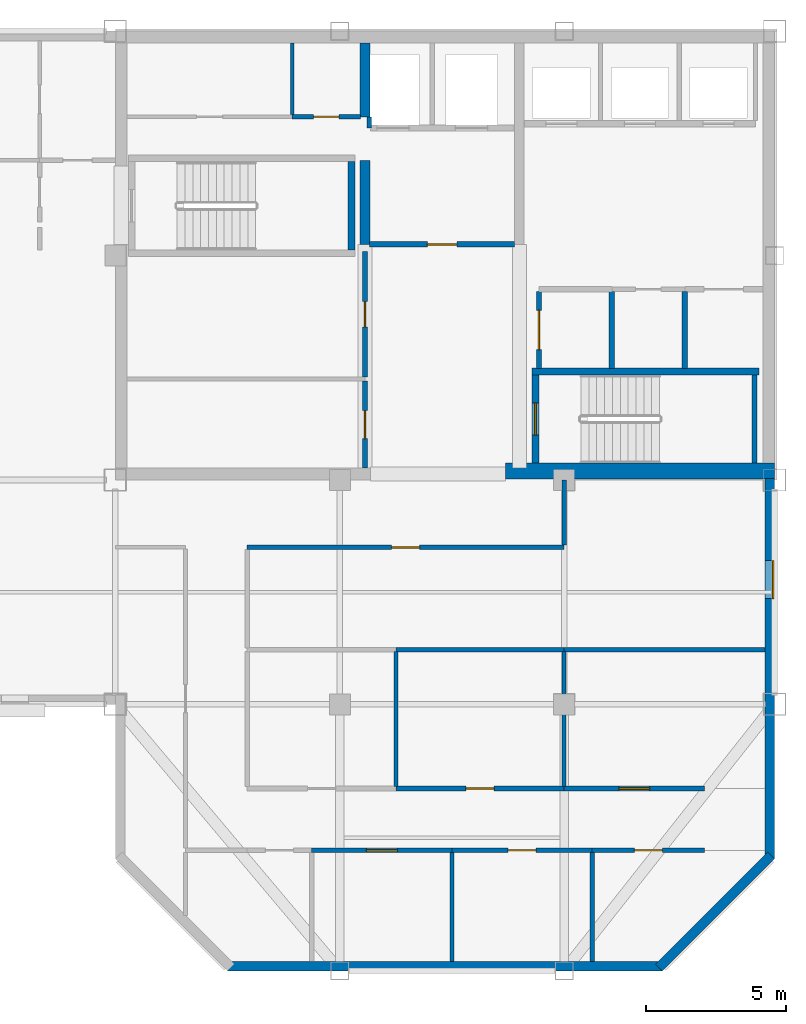
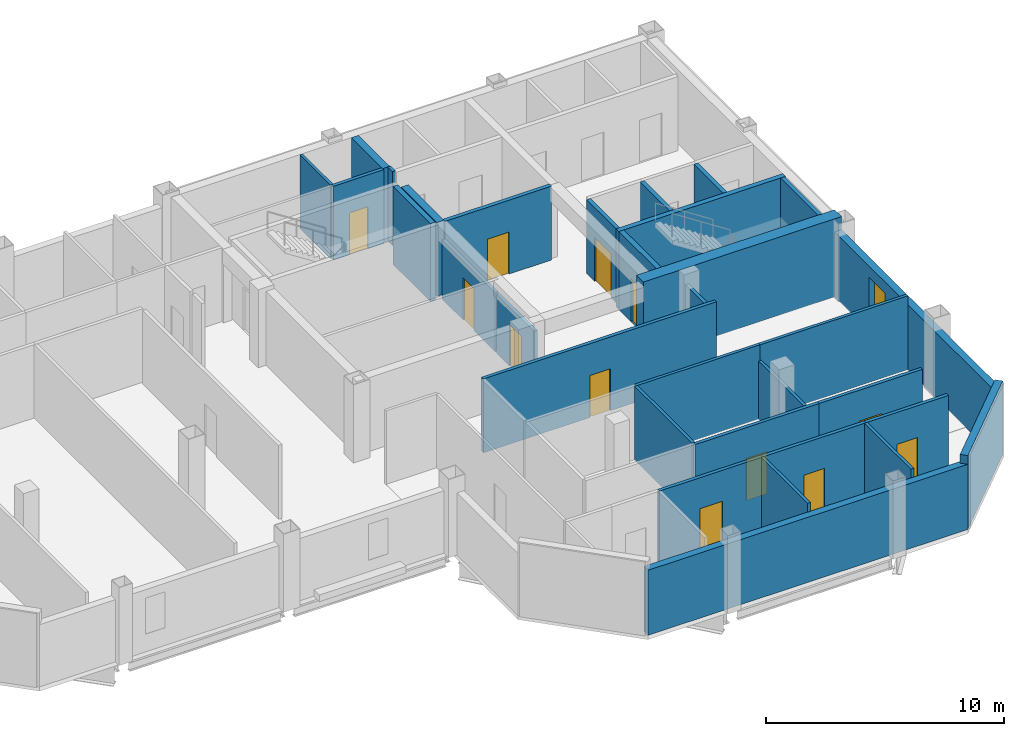
# One storey, part 3 of 7: 32 walls, 12 doors, 1 window, 13 openings.
"""IFC4 building model written with IfcOpenShell, lengths in metres."""

from ifc_helpers import new_model, si_unit, direction, frame, frame_2d, origin, place, context, subcontext, project, spatial, rectangle, extrude, material, layer, layer_set, type_object, element, fill, save


model = new_model("IFC4")

# Units and contexts
model_context = context("Model", 3, precision=1e-05, world=origin(), true_north=direction((0.0, 1.0)))
body_context = subcontext(model_context, "Body", "Model", "MODEL_VIEW")
ifc_project = project(units=[si_unit("LENGTHUNIT", "METRE"), si_unit("AREAUNIT", "SQUARE_METRE"), si_unit("VOLUMEUNIT", "CUBIC_METRE"), si_unit("PLANEANGLEUNIT", "RADIAN"), si_unit("MASSUNIT", "GRAM", prefix="KILO")], contexts=[model_context])

# Site, building, storey
site_placement = place(None, origin())
site = spatial("IfcSite", under=ifc_project, at=site_placement, CompositionType="ELEMENT")
building_placement = place(site_placement, origin())
building = spatial("IfcBuilding", under=site, at=building_placement, Name="Qianrong Seaharbour Tower", CompositionType="ELEMENT")
storey_placement = place(building_placement, frame((0.0, 0.0, 355.199951171875)))
storey = spatial("IfcBuildingStorey", under=building, at=storey_placement, Name="L86", CompositionType="ELEMENT", Elevation=355.199951171875)

# Walls
ifc_material_1 = material(Name="Concrete C70/85", Category="concrete")
ifc_layer_1 = layer(ifc_material_1, 0.580078125)
ifc_layer_set_1 = layer_set([ifc_layer_1], Name="Concrete C70/85")
wall_type_1 = type_object("IfcWallType", Name="WALL-CORE-580", PredefinedType="SHEAR", material=ifc_layer_set_1)
wall_1_placement = place(storey_placement, frame((54.39990234375, 36.320068359375, 0.0), z_axis=(0.0, 0.0, 1.0), x_axis=(1.0, 0.0, 0.0)))
element("IfcWall", 1, at=wall_1_placement, inside=storey, type_object=wall_type_1, Name="L86 South Core Shear Wall S3", PredefinedType="SHEAR", context=body_context, shape_type="SweptSolid", body=[
    extrude(rectangle(XDim=9.60009765625, YDim=0.580078125, at=frame_2d((4.800048828125, 0.0))), origin(), (0.0, 0.0, 1.0), 4.0),
])
ifc_material_2 = material(Name="Concrete C50/60", Category="concrete")
ifc_layer_2 = layer(ifc_material_2, 0.35009765625)
ifc_layer_set_2 = layer_set([ifc_layer_2], Name="Concrete C50/60")
wall_type_2 = type_object("IfcWallType", Name="WALL-CORE-INT-350", PredefinedType="SHEAR", material=ifc_layer_set_2)
wall_2_placement = place(storey_placement, frame((49.39990234375, 44.39990234375, 0.0), z_axis=(0.0, 0.0, 1.0), x_axis=(0.0, 1.0, 0.0)))
element("IfcWall", 2, at=wall_2_placement, inside=storey, type_object=wall_type_2, Name="L86 Internal Core Shear Wall IW1N1", PredefinedType="SHEAR", context=body_context, shape_type="SweptSolid", body=[
    extrude(rectangle(XDim=3.0, YDim=0.35009765625, at=frame_2d((1.5, 0.0))), origin(), (0.0, 0.0, 1.0), 3.78515625),
])
wall_3_placement = place(storey_placement, frame((49.39990234375, 48.949951171875, 0.0), z_axis=(0.0, 0.0, 1.0), x_axis=(0.0, 1.0, 0.0)))
element("IfcWall", 3, at=wall_3_placement, inside=storey, type_object=wall_type_2, Name="L86 Internal Core Shear Wall IW1N2", PredefinedType="SHEAR", context=body_context, shape_type="SweptSolid", body=[
    extrude(rectangle(XDim=2.630126953125, YDim=0.35009765625, at=frame_2d((1.31494140625, 0.0))), origin(), (0.0, 0.0, 1.0), 3.78515625),
])

# Wall, opening, door
ifc_material_3 = material(Name="Fire-rated acoustic gypsum board partition")
ifc_layer_3 = layer(ifc_material_3, 0.1650390625)
ifc_layer_set_3 = layer_set([ifc_layer_3], Name="Fire-rated acoustic gypsum board partition")
wall_type_3 = type_object("IfcWallType", Name="WALL-CORR-PART-165", PredefinedType="PARTITIONING", material=ifc_layer_set_3)
wall_4_placement = place(storey_placement, frame((46.800048828125, 48.949951171875, 0.0), z_axis=(0.0, 0.0, 1.0), x_axis=(1.0, 0.0, 0.0)))
wall_4 = element("IfcWall", 4, at=wall_4_placement, inside=storey, type_object=wall_type_3, Name="L86 Interior Partition Wall 008", PredefinedType="PARTITIONING", context=body_context, shape_type="SweptSolid", body=[
    extrude(rectangle(XDim=2.432861328125, YDim=0.1650390625, at=frame_2d((1.21630859375, 0.0))), origin(), (0.0, 0.0, 1.0), 3.78515625),
])
opening_1_placement = place(wall_4_placement, frame((0.7666015625, 0.0, 0.0)))
opening_1 = element("IfcOpeningElement", 5, at=opening_1_placement, cuts=wall_4, Name="Opening DS-01", PredefinedType="OPENING", context=body_context, shape_type="SweptSolid", body=[
    extrude(rectangle(XDim=0.89990234375, YDim=2.14990234375, at=frame_2d((0.449951171875, 1.074951171875))), frame((0.0, 0.092529296875, 0.0), z_axis=(0.0, -1.0, 0.0), x_axis=(1.0, 0.0, 0.0)), (0.0, 0.0, 1.0), 0.18505859375),
])
ifc_material_4 = material(Name="Acoustic timber and galvanized steel fire door assembly", Category="steel")
door_type_1 = type_object("IfcDoorType", Name="DOOR-STORE-900x2150", OperationType="NOTDEFINED", PredefinedType="DOOR", material=ifc_material_4)
door_1_placement = place(opening_1_placement, origin())
door_1 = element("IfcDoor", 6, at=door_1_placement, inside=storey, type_object=door_type_1, Name="L86 Janitor Store Room Door", OperationType="SINGLE_SWING_RIGHT", OverallHeight=2.14990234375, OverallWidth=0.89990234375, PredefinedType="DOOR", context=body_context, shape_type="SweptSolid", body=[
    extrude(rectangle(XDim=0.89990234375, YDim=2.14990234375, at=frame_2d((0.449951171875, 1.074951171875))), frame((0.0, 0.02490234375, 0.0), z_axis=(0.0, -1.0, 0.0), x_axis=(1.0, 0.0, 0.0)), (0.0, 0.0, 1.0), 0.050048828125),
])
fill(opening_1, door_1)

wall_5_placement = place(storey_placement, frame((49.39990234375, 36.419921875, 0.0), z_axis=(0.0, 0.0, 1.0), x_axis=(0.0, 1.0, 0.0)))
wall_5 = element("IfcWall", 7, at=wall_5_placement, inside=storey, type_object=wall_type_3, Name="L86 Interior Partition Wall 010", PredefinedType="PARTITIONING", context=body_context, shape_type="SweptSolid", body=[
    extrude(rectangle(XDim=3.115478515625, YDim=0.1650390625, at=frame_2d((1.5576171875, 0.0))), origin(), (0.0, 0.0, 1.0), 3.027099609375),
])
opening_2_placement = place(wall_5_placement, frame((1.0576171875, 0.0, 0.0)))
opening_2 = element("IfcOpeningElement", 8, at=opening_2_placement, cuts=wall_5, Name="Opening DO-01", PredefinedType="OPENING", context=body_context, shape_type="SweptSolid", body=[
    extrude(rectangle(XDim=1.0, YDim=2.14990234375, at=frame_2d((0.5, 1.074951171875))), frame((0.0, 0.092529296875, 0.0), z_axis=(0.0, -1.0, 0.0), x_axis=(1.0, 0.0, 0.0)), (0.0, 0.0, 1.0), 0.18505859375),
])
door_type_2 = type_object("IfcDoorType", Name="DOOR-OFFICE-1000x2150", OperationType="NOTDEFINED", PredefinedType="DOOR", material=ifc_material_4)
door_2_placement = place(opening_2_placement, origin())
door_2 = element("IfcDoor", 9, at=door_2_placement, inside=storey, type_object=door_type_2, Name="L86 Wellness Room Door", OperationType="SINGLE_SWING_LEFT", OverallHeight=2.14990234375, OverallWidth=1.0, PredefinedType="DOOR", context=body_context, shape_type="SweptSolid", body=[
    extrude(rectangle(XDim=1.0, YDim=2.14990234375, at=frame_2d((0.5, 1.074951171875))), frame((0.0, 0.02490234375, 0.0), z_axis=(0.0, -1.0, 0.0), x_axis=(1.0, 0.0, 0.0)), (0.0, 0.0, 1.0), 0.050048828125),
])
fill(opening_2, door_2)

wall_6_placement = place(storey_placement, frame((49.39990234375, 39.66455078125, 0.0), z_axis=(0.0, 0.0, 1.0), x_axis=(0.0, 1.0, 0.0)))
wall_6 = element("IfcWall", 10, at=wall_6_placement, inside=storey, type_object=wall_type_3, Name="L86 Interior Partition Wall 011", PredefinedType="PARTITIONING", context=body_context, shape_type="SweptSolid", body=[
    extrude(rectangle(XDim=4.4853515625, YDim=0.1650390625, at=frame_2d((2.24267578125, 0.0))), origin(), (0.0, 0.0, 1.0), 3.027099609375),
])
opening_3_placement = place(wall_6_placement, frame((1.792724609375, 0.0, 0.0)))
opening_3 = element("IfcOpeningElement", 11, at=opening_3_placement, cuts=wall_6, Name="Opening DS-01", PredefinedType="OPENING", context=body_context, shape_type="SweptSolid", body=[
    extrude(rectangle(XDim=0.89990234375, YDim=2.14990234375, at=frame_2d((0.449951171875, 1.074951171875))), frame((0.0, 0.092529296875, 0.0), z_axis=(0.0, -1.0, 0.0), x_axis=(1.0, 0.0, 0.0)), (0.0, 0.0, 1.0), 0.18505859375),
])
door_3_placement = place(opening_3_placement, origin())
door_3 = element("IfcDoor", 12, at=door_3_placement, inside=storey, type_object=door_type_1, Name="L86 Equipment Store Room Door", OperationType="SINGLE_SWING_RIGHT", OverallHeight=2.14990234375, OverallWidth=0.89990234375, PredefinedType="DOOR", context=body_context, shape_type="SweptSolid", body=[
    extrude(rectangle(XDim=0.89990234375, YDim=2.14990234375, at=frame_2d((0.449951171875, 1.074951171875))), frame((0.0, 0.02490234375, 0.0), z_axis=(0.0, -1.0, 0.0), x_axis=(1.0, 0.0, 0.0)), (0.0, 0.0, 1.0), 0.050048828125),
])
fill(opening_3, door_3)

# Wall
wall_7_placement = place(storey_placement, frame((56.5, 36.0, 0.0), z_axis=(0.0, 0.0, 1.0), x_axis=(0.0, -1.0, 0.0)))
element("IfcWall", 13, at=wall_7_placement, inside=storey, type_object=wall_type_3, Name="L86 Interior Partition Wall 028", PredefinedType="PARTITIONING", context=body_context, shape_type="SweptSolid", body=[
    extrude(rectangle(XDim=2.325439453125, YDim=0.1650390625, at=frame_2d((1.16259765625, 0.0))), origin(), (0.0, 0.0, 1.0), 3.177001953125),
])

# Wall, opening, door
wall_8_placement = place(storey_placement, frame((56.5, 33.60009765625, 0.0), z_axis=(0.0, 0.0, 1.0), x_axis=(-1.0, 0.0, 0.0)))
wall_8 = element("IfcWall", 14, at=wall_8_placement, inside=storey, type_object=wall_type_3, Name="L86 Interior Partition Wall 029", PredefinedType="PARTITIONING", context=body_context, shape_type="SweptSolid", body=[
    extrude(rectangle(XDim=11.300048828125, YDim=0.1650390625, at=frame_2d((5.64990234375, 0.0))), origin(), (0.0, 0.0, 1.0), 3.78515625),
])
opening_4_placement = place(wall_8_placement, frame((5.14990234375, 0.0, 0.0)))
opening_4 = element("IfcOpeningElement", 15, at=opening_4_placement, cuts=wall_8, Name="Opening DO-01", PredefinedType="OPENING", context=body_context, shape_type="SweptSolid", body=[
    extrude(rectangle(XDim=1.0, YDim=2.14990234375, at=frame_2d((0.5, 1.074951171875))), frame((0.0, 0.092529296875, 0.0), z_axis=(0.0, -1.0, 0.0), x_axis=(1.0, 0.0, 0.0)), (0.0, 0.0, 1.0), 0.18505859375),
])
door_4_placement = place(opening_4_placement, origin())
door_4 = element("IfcDoor", 16, at=door_4_placement, inside=storey, type_object=door_type_2, Name="L86 Commercial Desk Open-Plan Office Door", OperationType="SINGLE_SWING_RIGHT", OverallHeight=2.14990234375, OverallWidth=1.0, PredefinedType="DOOR", context=body_context, shape_type="SweptSolid", body=[
    extrude(rectangle(XDim=1.0, YDim=2.14990234375, at=frame_2d((0.5, 1.074951171875))), frame((0.0, 0.02490234375, 0.0), z_axis=(0.0, -1.0, 0.0), x_axis=(1.0, 0.0, 0.0)), (0.0, 0.0, 1.0), 0.050048828125),
])
fill(opening_4, door_4)

wall_9_placement = place(storey_placement, frame((50.5, 25.0, 0.0), z_axis=(0.0, 0.0, 1.0), x_axis=(1.0, 0.0, 0.0)))
wall_9 = element("IfcWall", 17, at=wall_9_placement, inside=storey, type_object=wall_type_3, Name="L86 Interior Partition Wall 036", PredefinedType="PARTITIONING", context=body_context, shape_type="SweptSolid", body=[
    extrude(rectangle(XDim=6.0, YDim=0.1650390625, at=frame_2d((3.0, 0.0))), origin(), (0.0, 0.0, 1.0), 3.78515625),
])
opening_5_placement = place(wall_9_placement, frame((2.5, 0.0, 0.0)))
opening_5 = element("IfcOpeningElement", 18, at=opening_5_placement, cuts=wall_9, Name="Opening DO-01", PredefinedType="OPENING", context=body_context, shape_type="SweptSolid", body=[
    extrude(rectangle(XDim=1.0, YDim=2.14990234375, at=frame_2d((0.5, 1.074951171875))), frame((0.0, 0.092529296875, 0.0), z_axis=(0.0, -1.0, 0.0), x_axis=(1.0, 0.0, 0.0)), (0.0, 0.0, 1.0), 0.18505859375),
])
door_5_placement = place(opening_5_placement, origin())
door_5 = element("IfcDoor", 19, at=door_5_placement, inside=storey, type_object=door_type_2, Name="L86 Port Equipment Showroom 2 Door", OperationType="SINGLE_SWING_RIGHT", OverallHeight=2.14990234375, OverallWidth=1.0, PredefinedType="DOOR", context=body_context, shape_type="SweptSolid", body=[
    extrude(rectangle(XDim=1.0, YDim=2.14990234375, at=frame_2d((0.5, 1.074951171875))), frame((0.0, 0.02490234375, 0.0), z_axis=(0.0, -1.0, 0.0), x_axis=(1.0, 0.0, 0.0)), (0.0, 0.0, 1.0), 0.050048828125),
])
fill(opening_5, door_5)

wall_10_placement = place(storey_placement, frame((56.5, 25.0, 0.0), z_axis=(0.0, 0.0, 1.0), x_axis=(1.0, 0.0, 0.0)))
wall_10 = element("IfcWall", 20, at=wall_10_placement, inside=storey, type_object=wall_type_3, Name="L86 Interior Partition Wall 037", PredefinedType="PARTITIONING", context=body_context, shape_type="SweptSolid", body=[
    extrude(rectangle(XDim=5.0, YDim=0.1650390625, at=frame_2d((2.5, 0.0))), origin(), (0.0, 0.0, 1.0), 3.78515625),
])
opening_6_placement = place(wall_10_placement, frame((1.949951171875, 0.0, 0.0)))
opening_6 = element("IfcOpeningElement", 21, at=opening_6_placement, cuts=wall_10, Name="Opening DM-01", PredefinedType="OPENING", context=body_context, shape_type="SweptSolid", body=[
    extrude(rectangle(XDim=1.10009765625, YDim=2.199951171875, at=frame_2d((0.550048828125, 1.10009765625))), frame((0.0, 0.092529296875, 0.0), z_axis=(0.0, -1.0, 0.0), x_axis=(1.0, 0.0, 0.0)), (0.0, 0.0, 1.0), 0.18505859375),
])
door_type_3 = type_object("IfcDoorType", Name="DOOR-MEET-1100x2200", OperationType="NOTDEFINED", PredefinedType="DOOR", material=ifc_material_4)
door_6_placement = place(opening_6_placement, origin())
door_6 = element("IfcDoor", 22, at=door_6_placement, inside=storey, type_object=door_type_3, Name="L86 Trade Meeting Room 3 Door", OperationType="SINGLE_SWING_LEFT", OverallHeight=2.199951171875, OverallWidth=1.10009765625, PredefinedType="DOOR", context=body_context, shape_type="SweptSolid", body=[
    extrude(rectangle(XDim=1.10009765625, YDim=2.199951171875, at=frame_2d((0.550048828125, 1.10009765625))), frame((0.0, 0.02490234375, 0.0), z_axis=(0.0, -1.0, 0.0), x_axis=(1.0, 0.0, 0.0)), (0.0, 0.0, 1.0), 0.050048828125),
])
fill(opening_6, door_6)

wall_11_placement = place(storey_placement, frame((52.5, 22.800048828125, 0.0), z_axis=(0.0, 0.0, 1.0), x_axis=(-1.0, 0.0, 0.0)))
wall_11 = element("IfcWall", 23, at=wall_11_placement, inside=storey, type_object=wall_type_3, Name="L86 Interior Partition Wall 039", PredefinedType="PARTITIONING", context=body_context, shape_type="SweptSolid", body=[
    extrude(rectangle(XDim=5.0, YDim=0.1650390625, at=frame_2d((2.5, 0.0))), origin(), (0.0, 0.0, 1.0), 3.78515625),
])
opening_7_placement = place(wall_11_placement, frame((1.949951171875, 0.0, 0.0)))
opening_7 = element("IfcOpeningElement", 24, at=opening_7_placement, cuts=wall_11, Name="Opening DM-01", PredefinedType="OPENING", context=body_context, shape_type="SweptSolid", body=[
    extrude(rectangle(XDim=1.10009765625, YDim=2.199951171875, at=frame_2d((0.550048828125, 1.10009765625))), frame((0.0, 0.092529296875, 0.0), z_axis=(0.0, -1.0, 0.0), x_axis=(1.0, 0.0, 0.0)), (0.0, 0.0, 1.0), 0.18505859375),
])
door_7_placement = place(opening_7_placement, origin())
door_7 = element("IfcDoor", 25, at=door_7_placement, inside=storey, type_object=door_type_3, Name="L86 Contract Signing Room 2 Door", OperationType="SINGLE_SWING_RIGHT", OverallHeight=2.199951171875, OverallWidth=1.10009765625, PredefinedType="DOOR", context=body_context, shape_type="SweptSolid", body=[
    extrude(rectangle(XDim=1.10009765625, YDim=2.199951171875, at=frame_2d((0.550048828125, 1.10009765625))), frame((0.0, 0.02490234375, 0.0), z_axis=(0.0, -1.0, 0.0), x_axis=(1.0, 0.0, 0.0)), (0.0, 0.0, 1.0), 0.050048828125),
])
fill(opening_7, door_7)

wall_12_placement = place(storey_placement, frame((57.5, 22.800048828125, 0.0), z_axis=(0.0, 0.0, 1.0), x_axis=(-1.0, 0.0, 0.0)))
wall_12 = element("IfcWall", 26, at=wall_12_placement, inside=storey, type_object=wall_type_3, Name="L86 Interior Partition Wall 040", PredefinedType="PARTITIONING", context=body_context, shape_type="SweptSolid", body=[
    extrude(rectangle(XDim=5.0, YDim=0.1650390625, at=frame_2d((2.5, 0.0))), origin(), (0.0, 0.0, 1.0), 3.78515625),
])
opening_8_placement = place(wall_12_placement, frame((2.0, 0.0, 0.0)))
opening_8 = element("IfcOpeningElement", 27, at=opening_8_placement, cuts=wall_12, Name="Opening DO-01", PredefinedType="OPENING", context=body_context, shape_type="SweptSolid", body=[
    extrude(rectangle(XDim=1.0, YDim=2.14990234375, at=frame_2d((0.5, 1.074951171875))), frame((0.0, 0.092529296875, 0.0), z_axis=(0.0, -1.0, 0.0), x_axis=(1.0, 0.0, 0.0)), (0.0, 0.0, 1.0), 0.18505859375),
])
door_8_placement = place(opening_8_placement, origin())
door_8 = element("IfcDoor", 28, at=door_8_placement, inside=storey, type_object=door_type_2, Name="L86 Marine Showcase Showroom 3 Door", OperationType="SINGLE_SWING_LEFT", OverallHeight=2.14990234375, OverallWidth=1.0, PredefinedType="DOOR", context=body_context, shape_type="SweptSolid", body=[
    extrude(rectangle(XDim=1.0, YDim=2.14990234375, at=frame_2d((0.5, 1.074951171875))), frame((0.0, 0.02490234375, 0.0), z_axis=(0.0, -1.0, 0.0), x_axis=(1.0, 0.0, 0.0)), (0.0, 0.0, 1.0), 0.050048828125),
])
fill(opening_8, door_8)

wall_13_placement = place(storey_placement, frame((61.5, 22.800048828125, 0.0), z_axis=(0.0, 0.0, 1.0), x_axis=(-1.0, 0.0, 0.0)))
wall_13 = element("IfcWall", 29, at=wall_13_placement, inside=storey, type_object=wall_type_3, Name="L86 Interior Partition Wall 041", PredefinedType="PARTITIONING", context=body_context, shape_type="SweptSolid", body=[
    extrude(rectangle(XDim=4.0, YDim=0.1650390625, at=frame_2d((2.0, 0.0))), origin(), (0.0, 0.0, 1.0), 3.78515625),
])
opening_9_placement = place(wall_13_placement, frame((1.5, 0.0, 0.0)))
opening_9 = element("IfcOpeningElement", 30, at=opening_9_placement, cuts=wall_13, Name="Opening DO-01", PredefinedType="OPENING", context=body_context, shape_type="SweptSolid", body=[
    extrude(rectangle(XDim=1.0, YDim=2.14990234375, at=frame_2d((0.5, 1.074951171875))), frame((0.0, 0.092529296875, 0.0), z_axis=(0.0, -1.0, 0.0), x_axis=(1.0, 0.0, 0.0)), (0.0, 0.0, 1.0), 0.18505859375),
])
door_9_placement = place(opening_9_placement, origin())
door_9 = element("IfcDoor", 31, at=door_9_placement, inside=storey, type_object=door_type_2, Name="L86 Brokerage Office 4 Door", OperationType="SINGLE_SWING_RIGHT", OverallHeight=2.14990234375, OverallWidth=1.0, PredefinedType="DOOR", context=body_context, shape_type="SweptSolid", body=[
    extrude(rectangle(XDim=1.0, YDim=2.14990234375, at=frame_2d((0.5, 1.074951171875))), frame((0.0, 0.02490234375, 0.0), z_axis=(0.0, -1.0, 0.0), x_axis=(1.0, 0.0, 0.0)), (0.0, 0.0, 1.0), 0.050048828125),
])
fill(opening_9, door_9)

# Wall, opening, window
ifc_material_5 = material(Name="Unitised buff brick on Precast concrete C45/55", Category="masonry")
ifc_layer_4 = layer(ifc_material_5, 0.340087890625)
ifc_layer_set_4 = layer_set([ifc_layer_4], Name="Unitised buff brick on Precast concrete C45/55")
wall_type_4 = type_object("IfcWallType", Name="WALL-EXT-BRICK-BUFF-340", PredefinedType="SOLIDWALL", material=ifc_layer_set_4)
wall_14_placement = place(storey_placement, frame((63.830078125, 36.050048828125, 0.0), z_axis=(0.0, 0.0, 1.0), x_axis=(0.0, -1.0, 0.0)))
wall_14 = element("IfcWall", 32, at=wall_14_placement, inside=storey, type_object=wall_type_4, Name="L86 Exterior Masonry Facade Wall EAST_WING", PredefinedType="SOLIDWALL", context=body_context, shape_type="SweptSolid", body=[
    extrude(rectangle(XDim=13.550048828125, YDim=0.340087890625, at=frame_2d((6.77490234375, 0.0))), origin(), (0.0, 0.0, 1.0), 3.3349609375),
])
opening_10_placement = place(wall_14_placement, frame((2.925048828125, 0.0, 0.89990234375)))
opening_10 = element("IfcOpeningElement", 33, at=opening_10_placement, cuts=wall_14, Name="Opening WN-02", PredefinedType="OPENING", context=body_context, shape_type="SweptSolid", body=[
    extrude(rectangle(XDim=1.35009765625, YDim=1.85009765625, at=frame_2d((0.675048828125, 0.925048828125))), frame((0.0, 0.18017578125, 0.0), z_axis=(0.0, -1.0, 0.0), x_axis=(1.0, 0.0, 0.0)), (0.0, 0.0, 1.0), 0.360107421875),
])
ifc_material_6 = material(Name="Insulated low-e double glazing in thermally broken aluminium 6063-T6 frame", Category="aluminium")
window_type = type_object("IfcWindowType", Name="WIN-PUNCH-1350x1850", PartitioningType="DOUBLE_PANEL_VERTICAL", PredefinedType="WINDOW", material=ifc_material_6)
window_placement = place(opening_10_placement, origin())
window = element("IfcWindow", 34, at=window_placement, inside=storey, type_object=window_type, Name="L86 Deep-Set Punched Window 06.01", OverallHeight=1.85009765625, OverallWidth=1.35009765625, PartitioningType="DOUBLE_PANEL_VERTICAL", PredefinedType="WINDOW", context=body_context, shape_type="SweptSolid", body=[
    extrude(rectangle(XDim=1.35009765625, YDim=1.85009765625, at=frame_2d((0.675048828125, 0.925048828125))), frame((0.0, 0.150146484375, 0.0), z_axis=(0.0, -1.0, 0.0), x_axis=(1.0, 0.0, 0.0)), (0.0, 0.0, 1.0), 0.06005859375),
])
fill(opening_10, window)

# Walls
wall_15_placement = place(storey_placement, frame((63.8798828125, 22.6201171875, 0.0), z_axis=(0.0, 0.0, 1.0), x_axis=(-0.707106781187, -0.707106781187, 0.0)))
element("IfcWall", 35, at=wall_15_placement, inside=storey, type_object=wall_type_4, Name="L86 Exterior Masonry Facade Wall E07", PredefinedType="SOLIDWALL", context=body_context, shape_type="SweptSolid", body=[
    extrude(rectangle(XDim=5.65673828125, YDim=0.340087890625, at=frame_2d((2.828369140625, 0.0))), origin(), (0.0, 0.0, 1.0), 3.78515625),
])
wall_16_placement = place(storey_placement, frame((60.0, 18.669921875, 0.0), z_axis=(0.0, 0.0, 1.0), x_axis=(-1.0, 0.0, 0.0)))
element("IfcWall", 36, at=wall_16_placement, inside=storey, type_object=wall_type_4, Name="L86 Exterior Masonry Facade Wall SOUTH_TIP", PredefinedType="SOLIDWALL", context=body_context, shape_type="SweptSolid", body=[
    extrude(rectangle(XDim=15.5, YDim=0.340087890625, at=frame_2d((7.75, 0.0))), origin(), (0.0, 0.0, 1.0), 3.3349609375),
])

# Wall, opening, door
ifc_material_7 = material(Name="Double fire-rated gypsum board acoustic partition")
ifc_layer_5 = layer(ifc_material_7, 0.18994140625)
ifc_layer_set_5 = layer_set([ifc_layer_5], Name="Double fire-rated gypsum board acoustic partition")
wall_type_5 = type_object("IfcWallType", Name="WALL-FIRE-PART-190", PredefinedType="PARTITIONING", material=ifc_layer_set_5)
wall_17_placement = place(storey_placement, frame((54.73291015625, 44.39990234375, 0.0), z_axis=(0.0, 0.0, 1.0), x_axis=(-1.0, 0.0, 0.0)))
wall_17 = element("IfcWall", 37, at=wall_17_placement, inside=storey, type_object=wall_type_5, Name="L86 Interior Partition Wall 009", PredefinedType="PARTITIONING", context=body_context, shape_type="SweptSolid", body=[
    extrude(rectangle(XDim=5.166015625, YDim=0.18994140625, at=frame_2d((2.5830078125, 0.0))), origin(), (0.0, 0.0, 1.0), 3.78515625),
])
opening_11_placement = place(wall_17_placement, frame((2.05810546875, 0.0, 0.0)))
opening_11 = element("IfcOpeningElement", 38, at=opening_11_placement, cuts=wall_17, Name="Opening DC-01", PredefinedType="OPENING", context=body_context, shape_type="SweptSolid", body=[
    extrude(rectangle(XDim=1.050048828125, YDim=2.14990234375, at=frame_2d((0.52490234375, 1.074951171875))), frame((0.0, 0.10498046875, 0.0), z_axis=(0.0, -1.0, 0.0), x_axis=(1.0, 0.0, 0.0)), (0.0, 0.0, 1.0), 0.2099609375),
])
door_type_4 = type_object("IfcDoorType", Name="DOOR-CORR-FD60-1050x2150", OperationType="NOTDEFINED", PredefinedType="DOOR", material=ifc_material_4)
door_10_placement = place(opening_11_placement, origin())
door_10 = element("IfcDoor", 39, at=door_10_placement, inside=storey, type_object=door_type_4, Name="L86 Firefighting Lift Lobby Door", OperationType="SINGLE_SWING_RIGHT", OverallHeight=2.14990234375, OverallWidth=1.050048828125, PredefinedType="DOOR", context=body_context, shape_type="SweptSolid", body=[
    extrude(rectangle(XDim=1.050048828125, YDim=2.14990234375, at=frame_2d((0.52490234375, 1.074951171875))), frame((0.0, 0.02490234375, 0.0), z_axis=(0.0, -1.0, 0.0), x_axis=(1.0, 0.0, 0.0)), (0.0, 0.0, 1.0), 0.050048828125),
])
fill(opening_11, door_10)

wall_18_placement = place(storey_placement, frame((55.60009765625, 42.712890625, 0.0), z_axis=(0.0, 0.0, 1.0), x_axis=(0.0, -1.0, 0.0)))
wall_18 = element("IfcWall", 40, at=wall_18_placement, inside=storey, type_object=wall_type_5, Name="L86 Interior Partition Wall 012", PredefinedType="PARTITIONING", context=body_context, shape_type="SweptSolid", body=[
    extrude(rectangle(XDim=2.73095703125, YDim=0.18994140625, at=frame_2d((1.365478515625, 0.0))), origin(), (0.0, 0.0, 1.0), 3.78515625),
])
opening_12_placement = place(wall_18_placement, frame((0.66552734375, 0.0, 0.0)))
opening_12 = element("IfcOpeningElement", 41, at=opening_12_placement, cuts=wall_18, Name="Opening DP-01", PredefinedType="OPENING", context=body_context, shape_type="SweptSolid", body=[
    extrude(rectangle(XDim=1.39990234375, YDim=2.25, at=frame_2d((0.699951171875, 1.125))), frame((0.0, 0.10498046875, 0.0), z_axis=(0.0, -1.0, 0.0), x_axis=(1.0, 0.0, 0.0)), (0.0, 0.0, 1.0), 0.2099609375),
])
door_type_5 = type_object("IfcDoorType", Name="DOOR-PLANT-PAIR-1400x2250", OperationType="DOUBLE_DOOR_SINGLE_SWING", PredefinedType="DOOR", material=ifc_material_4)
door_11_placement = place(opening_12_placement, origin())
door_11 = element("IfcDoor", 42, at=door_11_placement, inside=storey, type_object=door_type_5, Name="L86 Core Telecom Room Door", OperationType="DOUBLE_DOOR_SINGLE_SWING", OverallHeight=2.25, OverallWidth=1.39990234375, PredefinedType="DOOR", context=body_context, shape_type="SweptSolid", body=[
    extrude(rectangle(XDim=1.39990234375, YDim=2.25, at=frame_2d((0.699951171875, 1.125))), frame((0.0, 0.02490234375, 0.0), z_axis=(0.0, -1.0, 0.0), x_axis=(1.0, 0.0, 0.0)), (0.0, 0.0, 1.0), 0.050048828125),
])
fill(opening_12, door_11)

# Walls
for number, where, z_axis, x_axis, name in (
    (43, (58.199951171875, 42.712890625, 0.0), (0.0, 0.0, 1.0), (0.0, -1.0, 0.0), "L86 Interior Partition Wall 018"),
    (44, (60.800048828125, 42.712890625, 0.0), (0.0, 0.0, 1.0), (0.0, -1.0, 0.0), "L86 Interior Partition Wall 019"),
):
    element("IfcWall", number, at=place(storey_placement, frame(where, z_axis=z_axis, x_axis=x_axis)), inside=storey, type_object=wall_type_5, Name=name, PredefinedType="PARTITIONING", context=body_context, shape_type="SweptSolid", body=[
        extrude(rectangle(XDim=2.73095703125, YDim=0.18994140625, at=frame_2d((1.365478515625, 0.0))), origin(), (0.0, 0.0, 1.0), 3.78515625),
    ])
ifc_material_8 = material(Name="Acoustic gypsum board stud partition")
ifc_layer_6 = layer(ifc_material_8, 0.14501953125)
ifc_layer_set_6 = layer_set([ifc_layer_6], Name="Acoustic gypsum board stud partition")
wall_type_6 = type_object("IfcWallType", Name="WALL-OFFICE-PART-145", PredefinedType="PARTITIONING", material=ifc_layer_set_6)
wall_19_placement = place(storey_placement, frame((56.5, 29.949951171875, 0.0), z_axis=(0.0, 0.0, 1.0), x_axis=(-1.0, 0.0, 0.0)))
element("IfcWall", 45, at=wall_19_placement, inside=storey, type_object=wall_type_6, Name="L86 Interior Partition Wall 043", PredefinedType="PARTITIONING", context=body_context, shape_type="SweptSolid", body=[
    extrude(rectangle(XDim=6.0, YDim=0.14501953125, at=frame_2d((3.0, 0.0))), origin(), (0.0, 0.0, 1.0), 3.78515625),
])
wall_20_placement = place(storey_placement, frame((63.66796875, 29.949951171875, 0.0), z_axis=(0.0, 0.0, 1.0), x_axis=(-1.0, 0.0, 0.0)))
element("IfcWall", 46, at=wall_20_placement, inside=storey, type_object=wall_type_6, Name="L86 Interior Partition Wall 044", PredefinedType="PARTITIONING", context=body_context, shape_type="SweptSolid", body=[
    extrude(rectangle(XDim=7.16796875, YDim=0.14501953125, at=frame_2d((3.583984375, 0.0))), origin(), (0.0, 0.0, 1.0), 3.78515625),
])
wall_21_placement = place(storey_placement, frame((50.5, 29.885498046875, 0.0), z_axis=(0.0, 0.0, 1.0), x_axis=(0.0, -1.0, 0.0)))
element("IfcWall", 47, at=wall_21_placement, inside=storey, type_object=wall_type_6, Name="L86 Interior Partition Wall 045", PredefinedType="PARTITIONING", context=body_context, shape_type="SweptSolid", body=[
    extrude(rectangle(XDim=4.81103515625, YDim=0.14501953125, at=frame_2d((2.405517578125, 0.0))), origin(), (0.0, 0.0, 1.0), 3.78515625),
])
wall_22_placement = place(storey_placement, frame((56.5, 29.885498046875, 0.0), z_axis=(0.0, 0.0, 1.0), x_axis=(0.0, -1.0, 0.0)))
element("IfcWall", 48, at=wall_22_placement, inside=storey, type_object=wall_type_6, Name="L86 Interior Partition Wall 046", PredefinedType="PARTITIONING", context=body_context, shape_type="SweptSolid", body=[
    extrude(rectangle(XDim=4.81103515625, YDim=0.14501953125, at=frame_2d((2.405517578125, 0.0))), origin(), (0.0, 0.0, 1.0), 2.97705078125),
])
for number, where, z_axis, x_axis, name in (
    (49, (52.5, 22.7255859375, 0.0), (0.0, 0.0, 1.0), (0.0, -1.0, 0.0), "L86 Interior Partition Wall 054"),
    (50, (57.5, 22.7255859375, 0.0), (0.0, 0.0, 1.0), (0.0, -1.0, 0.0), "L86 Interior Partition Wall 055"),
):
    element("IfcWall", number, at=place(storey_placement, frame(where, z_axis=z_axis, x_axis=x_axis)), inside=storey, type_object=wall_type_6, Name=name, PredefinedType="PARTITIONING", context=body_context, shape_type="SweptSolid", body=[
        extrude(rectangle(XDim=3.8935546875, YDim=0.14501953125, at=frame_2d((1.94677734375, 0.0))), origin(), (0.0, 0.0, 1.0), 3.78515625),
    ])
ifc_material_9 = material(Name="Fire-rated gypsum board on steel studs", Category="steel")
ifc_layer_7 = layer(ifc_material_9, 0.14990234375)
ifc_layer_set_7 = layer_set([ifc_layer_7], Name="Fire-rated gypsum board on steel studs")
wall_type_7 = type_object("IfcWallType", Name="WALL-SHAFT-DIV-150", PredefinedType="PARTITIONING", material=ifc_layer_set_7)
wall_23_placement = place(storey_placement, frame((49.550048828125, 48.550048828125, 0.0), z_axis=(0.0, 0.0, 1.0), x_axis=(0.0, 1.0, 0.0)))
element("IfcWall", 51, at=wall_23_placement, inside=storey, type_object=wall_type_7, Name="L86 Firefighting Lift Shaft West Return Wall", PredefinedType="PARTITIONING", context=body_context, shape_type="SweptSolid", body=[
    extrude(rectangle(XDim=0.39990234375, YDim=0.14990234375, at=frame_2d((0.199951171875, 0.0))), origin(), (0.0, 0.0, 1.0), 3.78515625),
])
ifc_layer_8 = layer(ifc_material_2, 0.239990234375)
ifc_layer_set_8 = layer_set([ifc_layer_8], Name="Concrete C50/60")
wall_type_8 = type_object("IfcWallType", Name="WALL-SHAFT-RC240", PredefinedType="SOLIDWALL", material=ifc_layer_set_8)
wall_24_placement = place(storey_placement, frame((48.919921875, 44.199951171875, 0.0), z_axis=(0.0, 0.0, 1.0), x_axis=(0.0, 1.0, 0.0)))
element("IfcWall", 52, at=wall_24_placement, inside=storey, type_object=wall_type_8, Name="L86 ST-1 Structural Stair Core Wall E", PredefinedType="SOLIDWALL", context=body_context, shape_type="SweptSolid", body=[
    extrude(rectangle(XDim=3.150146484375, YDim=0.239990234375, at=frame_2d((1.5751953125, 0.0))), origin(), (0.0, 0.0, 1.0), 4.0),
])
wall_25_placement = place(storey_placement, frame((55.360107421875, 39.8701171875, 0.0), z_axis=(0.0, 0.0, 1.0), x_axis=(1.0, 0.0, 0.0)))
element("IfcWall", 53, at=wall_25_placement, inside=storey, type_object=wall_type_8, Name="L86 ST-2 Structural Stair Core Wall N", PredefinedType="SOLIDWALL", context=body_context, shape_type="SweptSolid", body=[
    extrude(rectangle(XDim=8.079833984375, YDim=0.239990234375, at=frame_2d((4.0400390625, 0.0))), origin(), (0.0, 0.0, 1.0), 4.0),
])

# Wall, opening, door
wall_26_placement = place(storey_placement, frame((55.47998046875, 39.75, 0.0), z_axis=(0.0, 0.0, 1.0), x_axis=(0.0, -1.0, 0.0)))
wall_26 = element("IfcWall", 54, at=wall_26_placement, inside=storey, type_object=wall_type_8, Name="L86 ST-2 Structural Stair Core Wall W", PredefinedType="SOLIDWALL", context=body_context, shape_type="SweptSolid", body=[
    extrude(rectangle(XDim=3.14990234375, YDim=0.239990234375, at=frame_2d((1.574951171875, 0.0))), origin(), (0.0, 0.0, 1.0), 4.0),
])
opening_13_placement = place(wall_26_placement, frame((1.0, 0.0, 0.0)))
opening_13 = element("IfcOpeningElement", 55, at=opening_13_placement, cuts=wall_26, Name="Opening SD-01", PredefinedType="OPENING", context=body_context, shape_type="SweptSolid", body=[
    extrude(rectangle(XDim=1.14990234375, YDim=2.199951171875, at=frame_2d((0.574951171875, 1.10009765625))), frame((0.0, 0.1298828125, 0.0), z_axis=(0.0, -1.0, 0.0), x_axis=(1.0, 0.0, 0.0)), (0.0, 0.0, 1.0), 0.260009765625),
])
door_type_6 = type_object("IfcDoorType", Name="DOOR-STAIR-FD60-1150x2200", OperationType="NOTDEFINED", PredefinedType="DOOR", material=ifc_material_4)
door_12_placement = place(opening_13_placement, origin())
door_12 = element("IfcDoor", 56, at=door_12_placement, inside=storey, type_object=door_type_6, Name="L86 ST-2 Protected Stair Door", OperationType="SINGLE_SWING_LEFT", OverallHeight=2.199951171875, OverallWidth=1.14990234375, PredefinedType="DOOR", context=body_context, shape_type="SweptSolid", body=[
    extrude(rectangle(XDim=1.14990234375, YDim=2.199951171875, at=frame_2d((0.574951171875, 1.10009765625))), frame((0.0, 0.02490234375, 0.0), z_axis=(0.0, -1.0, 0.0), x_axis=(1.0, 0.0, 0.0)), (0.0, 0.0, 1.0), 0.050048828125),
])
fill(opening_13, door_12)

# Walls
wall_27_placement = place(storey_placement, frame((63.2900390625, 36.60009765625, 0.0), z_axis=(0.0, 0.0, 1.0), x_axis=(0.0, 1.0, 0.0)))
element("IfcWall", 57, at=wall_27_placement, inside=storey, type_object=wall_type_8, Name="L86 ST-2 Structural Stair Core Wall E", PredefinedType="SOLIDWALL", context=body_context, shape_type="SweptSolid", body=[
    extrude(rectangle(XDim=3.14990234375, YDim=0.179931640625, at=frame_2d((1.574951171875, 0.0))), origin(), (0.0, 0.0, 1.0), 4.0),
])
ifc_material_10 = material(Name="Water-resistant cement board sanitary partition")
ifc_layer_9 = layer(ifc_material_10, 0.1298828125)
ifc_layer_set_9 = layer_set([ifc_layer_9], Name="Water-resistant cement board sanitary partition")
wall_type_9 = type_object("IfcWallType", Name="WALL-WET-PART-130", PredefinedType="PARTITIONING", material=ifc_layer_set_9)
wall_28_placement = place(storey_placement, frame((46.800048828125, 51.580078125, 0.0), z_axis=(0.0, 0.0, 1.0), x_axis=(0.0, -1.0, 0.0)))
element("IfcWall", 58, at=wall_28_placement, inside=storey, type_object=wall_type_9, Name="L86 Interior Partition Wall 017", PredefinedType="PARTITIONING", context=body_context, shape_type="SweptSolid", body=[
    extrude(rectangle(XDim=2.5556640625, YDim=0.1298828125, at=frame_2d((1.27783203125, 0.0))), origin(), (0.0, 0.0, 1.0), 3.78515625),
])

save(model, "model.ifc")
